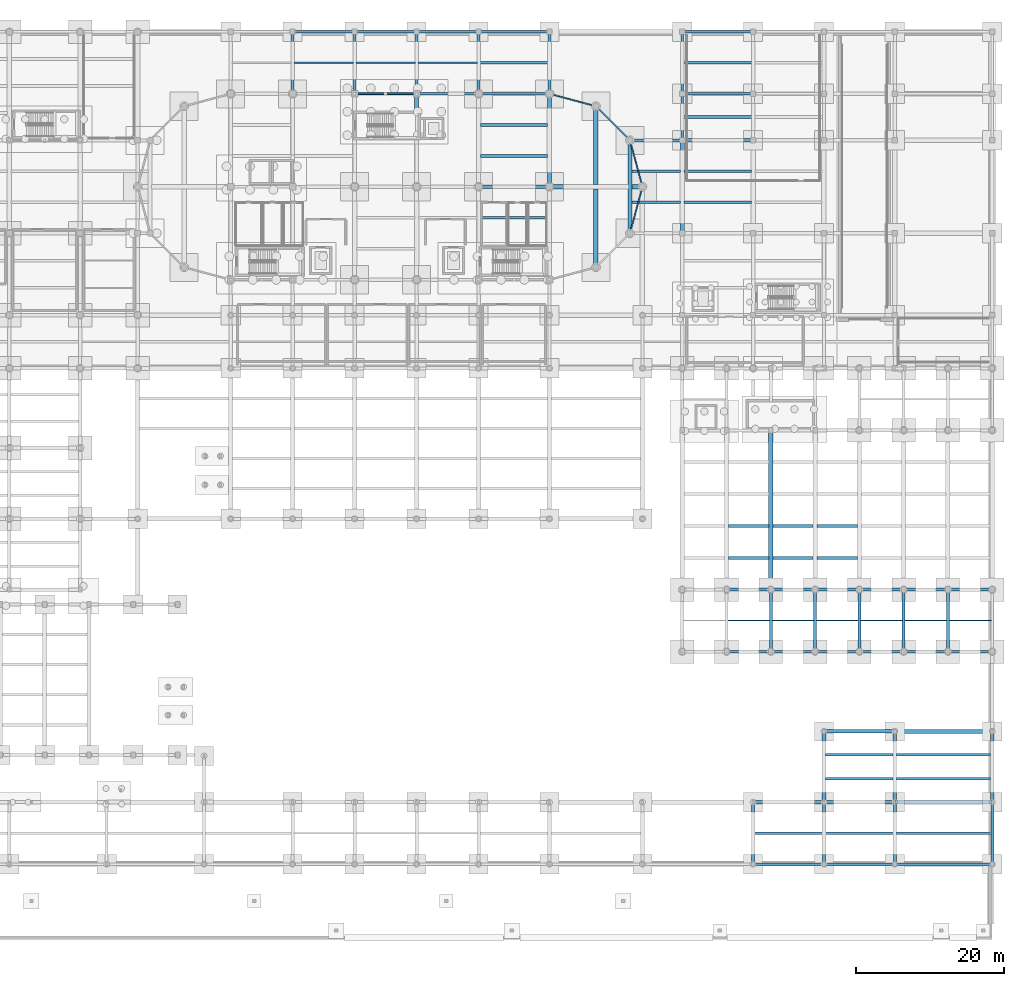
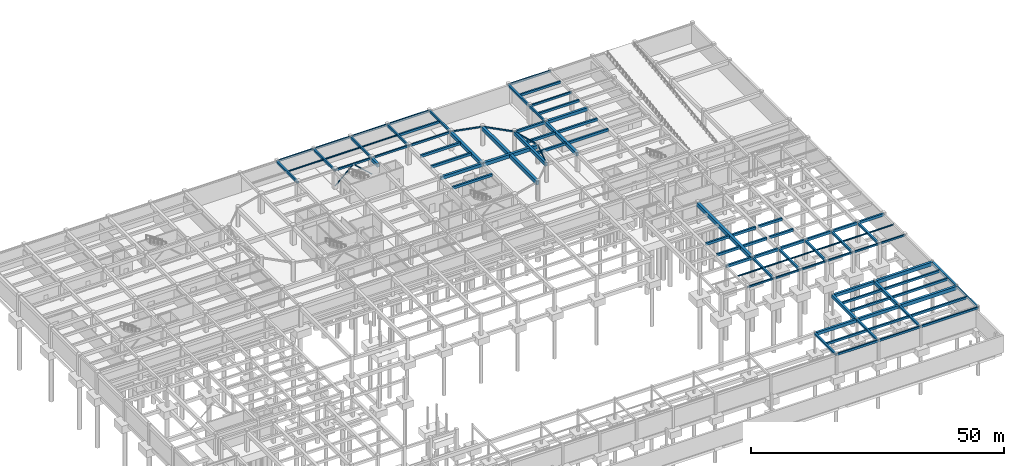
# One storey, part 18 of 37: 94 beams, 2 members.
"""IFC4 building model written with IfcOpenShell, lengths in metres."""

import ifcopenshell
import ifcopenshell.guid

model = None  # the IFC model being written
_history = None  # IfcOwnerHistory: only IFC2X3 demands one
_inside = {}  # id of a spatial element -> (the spatial element, [elements in it])
_under = {}  # id of a project, library or spatial element -> (it, [spatial elements below it])
_declared = {}  # id of a project -> (the project, [libraries it declares])
_typed = {}  # id of a type object -> (the type object, [elements of that type])
_made_of = {}  # id of a material, layer set ... -> (it, [elements and type objects made of it])


def new_model(schema):
    """Start an empty IFC model of exactly this schema.

    Asked for "IFC4X3", IfcOpenShell would pick the latest addendum, in which some entities
    have other attributes; the version numbers below select the first issue.
    IFC2X3 requires an IfcOwnerHistory on every rooted entity: one is made here for all.
    """
    global model, _history
    if schema == "IFC4X3":
        model = ifcopenshell.file(schema_version=(4, 3, 0, 0))
    else:
        model = ifcopenshell.file(schema=schema)
    _inside.clear()
    _under.clear()
    _declared.clear()
    _typed.clear()
    _made_of.clear()
    _history = None
    if model.schema == "IFC2X3":
        org = make("IfcOrganization", Name="unknown")
        user = make(
            "IfcPersonAndOrganization",
            ThePerson=make("IfcPerson", FamilyName="unknown"),
            TheOrganization=org,
        )
        app = make(
            "IfcApplication",
            ApplicationDeveloper=org,
            Version="unknown",
            ApplicationFullName="unknown",
            ApplicationIdentifier="unknown",
        )
        _history = make(
            "IfcOwnerHistory",
            OwningUser=user,
            OwningApplication=app,
            ChangeAction="ADDED",
            CreationDate=0,
        )
    return model


def make(cls, **values):
    """One entity of the class cls with the attributes given. An attribute that is None is left unset."""
    return model.create_entity(
        cls, **{name: value for name, value in values.items() if value is not None}
    )


def rooted(cls, **values):
    """An entity with a GlobalId (a new one), such as an element, a storey or a relation."""
    return make(cls, GlobalId=ifcopenshell.guid.new(), OwnerHistory=_history, **values)


def si_unit(unit_type, name, prefix=None):
    """IfcSIUnit, for example si_unit("LENGTHUNIT", "METRE", prefix="MILLI")."""
    return make("IfcSIUnit", UnitType=unit_type, Prefix=prefix, Name=name)


def assignment(units):
    """IfcUnitAssignment: the units of a project."""
    return None if units is None else make("IfcUnitAssignment", Units=units)


def point(xyz):
    """IfcCartesianPoint."""
    return None if xyz is None else make("IfcCartesianPoint", Coordinates=xyz)


def direction(xyz):
    """IfcDirection."""
    return None if xyz is None else make("IfcDirection", DirectionRatios=xyz)


def frame(location, z_axis=None, x_axis=None):
    """IfcAxis2Placement3D, a coordinate frame: its origin and axes. An axis left out is left unset."""
    return make(
        "IfcAxis2Placement3D",
        Location=point(location),
        Axis=direction(z_axis),
        RefDirection=direction(x_axis),
    )


def frame_2d(location, x_axis=None):
    """IfcAxis2Placement2D, a coordinate frame in the plane: its origin and x axis."""
    return make(
        "IfcAxis2Placement2D", Location=point(location), RefDirection=direction(x_axis)
    )


def origin():
    """The frame at (0, 0, 0) with its axes left unset."""
    return frame((0.0, 0.0, 0.0))


def origin_2d():
    """The frame at (0, 0) in the plane with its x axis left unset."""
    return frame_2d((0.0, 0.0))


def place(relative_to, where):
    """IfcLocalPlacement: puts the frame where relative to a parent placement (None: the world)."""
    return make(
        "IfcLocalPlacement", PlacementRelTo=relative_to, RelativePlacement=where
    )


def context(
    kind, dimensions, precision=None, world=None, true_north=None, identifier=None
):
    """IfcGeometricRepresentationContext, for example the 3D "Model" context."""
    return make(
        "IfcGeometricRepresentationContext",
        ContextIdentifier=identifier,
        ContextType=kind,
        CoordinateSpaceDimension=dimensions,
        Precision=precision,
        WorldCoordinateSystem=world,
        TrueNorth=true_north,
    )


def subcontext(parent, identifier, kind, view, scale=None):
    """IfcGeometricRepresentationSubContext, for example "Body" below "Model"."""
    return make(
        "IfcGeometricRepresentationSubContext",
        ContextIdentifier=identifier,
        ContextType=kind,
        ParentContext=parent,
        TargetScale=scale,
        TargetView=view,
    )


def project(units=None, contexts=None):
    """IfcProject with its units and contexts."""
    return rooted(
        "IfcProject",
        Name="project",
        RepresentationContexts=contexts,
        UnitsInContext=assignment(units),
    )


def spatial(cls, under=None, at=None, **own):
    """A site, building, storey or space (cls), placed at a placement, below another one or the project."""
    s = rooted(cls, ObjectPlacement=at, **own)
    if under is not None:
        _under.setdefault(under.id(), (under, []))[1].append(s)
    return s


def profile(cls, at=None, kind="AREA", **sizes):
    """A parametric profile (cls). Its sizes go by their IFC names, for example OverallWidth=200.0."""
    return make(cls, ProfileType=kind, Position=at, **sizes)


def rectangle(**sizes):
    """IfcRectangleProfileDef."""
    return profile("IfcRectangleProfileDef", **sizes)


def hollow_rectangle(**sizes):
    """IfcRectangleHollowProfileDef."""
    return profile("IfcRectangleHollowProfileDef", **sizes)


def i_section(**sizes):
    """IfcIShapeProfileDef."""
    return profile("IfcIShapeProfileDef", **sizes)


def extrude(swept, where, along, depth):
    """IfcExtrudedAreaSolid: the profile swept, set in the frame where, extruded along a direction by depth."""
    return make(
        "IfcExtrudedAreaSolid",
        SweptArea=swept,
        Position=where,
        ExtrudedDirection=direction(along),
        Depth=depth,
    )


def shape(context_of_items, identifier, shape_type, items):
    """IfcShapeRepresentation: the items that make up one representation, for example the "Body"."""
    return make(
        "IfcShapeRepresentation",
        ContextOfItems=context_of_items,
        RepresentationIdentifier=identifier,
        RepresentationType=shape_type,
        Items=items,
    )


def material(Name=None, Category=None):
    """IfcMaterial."""
    return make("IfcMaterial", Name=Name, Category=Category)


def material_profile(
    of_material, cross_section, Name=None, Category=None, Priority=None
):
    """IfcMaterialProfile: a cross section and its material."""
    return make(
        "IfcMaterialProfile",
        Name=Name,
        Material=of_material,
        Profile=cross_section,
        Priority=Priority,
        Category=Category,
    )


def profile_set(profiles, Name=None, composite=None):
    """IfcMaterialProfileSet."""
    return make(
        "IfcMaterialProfileSet",
        Name=Name,
        MaterialProfiles=profiles,
        CompositeProfile=composite,
    )


def made_of(thing, what):
    """Note that an element or type object is made of a material, layer set ...; save() writes the relation."""
    if what is not None:
        _made_of.setdefault(what.id(), (what, []))[1].append(thing)
    return thing


def type_object(cls, material=None, **own):
    """A type object (cls), such as IfcWallType, which elements share."""
    return made_of(rooted(cls, **own), material)


def element(
    cls,
    number,
    at=None,
    inside=None,
    cuts=None,
    type_object=None,
    material=None,
    context=None,
    identifier="Body",
    shape_type=None,
    held_by="IfcProductDefinitionShape",
    body=None,
    shapes=None,
    **own,
):
    """One element of the class cls, such as IfcWall. Its Tag is "e" and its number.

    at: its placement. inside: the storey or other place that contains it. cuts: it is an
    opening in that element (IfcRelVoidsElement). A single representation is given by context,
    identifier, shape_type and body (its items); several are given by shapes. held_by: the class
    of the entity that holds the representations. save() writes the other relations.
    """
    e = rooted(cls, Tag="e%d" % number, ObjectPlacement=at, **own)
    if body is not None:
        shapes = [shape(context, identifier, shape_type, body)]
    if shapes is not None:
        e.Representation = make(held_by, Representations=shapes)
    if inside is not None:
        _inside.setdefault(inside.id(), (inside, []))[1].append(e)
    if cuts is not None:
        rooted(
            "IfcRelVoidsElement", RelatingBuildingElement=cuts, RelatedOpeningElement=e
        )
    if type_object is not None:
        _typed.setdefault(type_object.id(), (type_object, []))[1].append(e)
    return made_of(e, material)


def aggregate(whole, parts):
    """IfcRelAggregates: a whole, such as a stair, and the parts it consists of."""
    return rooted("IfcRelAggregates", RelatingObject=whole, RelatedObjects=parts)


def save(model, path):
    """Write the relations noted so far, then the file.

    IfcRelAggregates (storeys below a building ...), IfcRelContainedInSpatialStructure (elements
    in a storey), IfcRelDefinesByType, IfcRelAssociatesMaterial and IfcRelDeclares: one each for
    every whole, place, type object, material and project.
    """
    for whole, parts in _under.values():
        aggregate(whole, parts)
    for where, things in _inside.values():
        rooted(
            "IfcRelContainedInSpatialStructure",
            RelatedElements=things,
            RelatingStructure=where,
        )
    for kind, things in _typed.values():
        rooted("IfcRelDefinesByType", RelatedObjects=things, RelatingType=kind)
    for what, things in _made_of.values():
        rooted("IfcRelAssociatesMaterial", RelatedObjects=things, RelatingMaterial=what)
    for by, libraries in _declared.values():
        rooted("IfcRelDeclares", RelatingContext=by, RelatedDefinitions=libraries)
    model.write(path)


model = new_model("IFC4")

# Units and contexts
model_context = context("Model", 3, precision=1e-05, world=origin(), true_north=direction((0.0, 1.0)))
body_context = subcontext(model_context, "Body", "Model", "MODEL_VIEW")
ifc_project = project(units=[si_unit("LENGTHUNIT", "METRE"), si_unit("AREAUNIT", "SQUARE_METRE"), si_unit("VOLUMEUNIT", "CUBIC_METRE"), si_unit("PLANEANGLEUNIT", "RADIAN"), si_unit("MASSUNIT", "GRAM", prefix="KILO")], contexts=[model_context])

# Site, building, storey
site_placement = place(None, origin())
site = spatial("IfcSite", under=ifc_project, at=site_placement, CompositionType="ELEMENT")
building_placement = place(site_placement, origin())
building = spatial("IfcBuilding", under=site, at=building_placement, Name="Tarnavel Promenade Courthouse", CompositionType="ELEMENT")
storey_placement = place(building_placement, frame((0.0, 0.0, -4.800048828125)))
storey = spatial("IfcBuildingStorey", under=building, at=storey_placement, Name="B01", CompositionType="ELEMENT", Elevation=-4.800048828125)

# Beams
ifc_material_1 = material(Name="Concrete C40/50", Category="concrete")
ifc_material_profile_1 = material_profile(ifc_material_1, rectangle(XDim=0.35009765625, YDim=0.550048828125, at=origin_2d()), Name="PT 350x550")
ifc_profile_set_1 = profile_set([ifc_material_profile_1], Name="Concrete C40/50")
beam_type_1 = type_object("IfcBeamType", Name="Concrete C40/50 BM-PT-350x550 (PT 350x550)", PredefinedType="JOIST", material=ifc_profile_set_1)
beam_1_placement = place(storey_placement, frame((129.77001953125, 4.199951171875, 4.195068359375), z_axis=(1.0, 0.0, 0.0), x_axis=(0.0, 1.0, 0.0)))
element("IfcBeam", 1, at=beam_1_placement, inside=storey, type_object=beam_type_1, Name="B01 Secondary Floor Rib 0365", PredefinedType="JOIST", context=body_context, shape_type="SweptSolid", body=[
    extrude(rectangle(XDim=0.35009765625, YDim=0.550048828125, at=origin_2d()), origin(), (0.0, 0.0, 1.0), 9.260009765625),
])
beam_2_placement = place(storey_placement, frame((139.3701171875, 4.199951171875, 4.195068359375), z_axis=(1.0, 0.0, 0.0), x_axis=(0.0, 1.0, 0.0)))
element("IfcBeam", 2, at=beam_2_placement, inside=storey, type_object=beam_type_1, Name="B01 Secondary Floor Rib 0366", PredefinedType="JOIST", context=body_context, shape_type="SweptSolid", body=[
    extrude(rectangle(XDim=0.35009765625, YDim=0.550048828125, at=origin_2d()), origin(), (0.0, 0.0, 1.0), 9.259765625),
])
beam_3_placement = place(storey_placement, frame((148.969970703125, 4.199951171875, 4.195068359375), z_axis=(1.0, 0.0, 0.0), x_axis=(0.0, 1.0, 0.0)))
element("IfcBeam", 3, at=beam_3_placement, inside=storey, type_object=beam_type_1, Name="B01 Secondary Floor Rib 0367", PredefinedType="JOIST", context=body_context, shape_type="SweptSolid", body=[
    extrude(rectangle(XDim=0.35009765625, YDim=0.550048828125, at=origin_2d()), origin(), (0.0, 0.0, 1.0), 12.909912109375),
])
for number, where, z_axis, x_axis, name in (
    (4, (139.419921875, 11.60009765625, 4.195068359375), (1.0, 0.0, 0.0), (0.0, 1.0, 0.0), "B01 Secondary Floor Rib 0368"),
    (5, (139.419921875, 14.800048828125, 4.195068359375), (1.0, 0.0, 0.0), (0.0, 1.0, 0.0), "B01 Secondary Floor Rib 0369"),
):
    element("IfcBeam", number, at=place(storey_placement, frame(where, z_axis=z_axis, x_axis=x_axis)), inside=storey, type_object=beam_type_1, Name=name, PredefinedType="JOIST", context=body_context, shape_type="SweptSolid", body=[
        extrude(rectangle(XDim=0.35009765625, YDim=0.550048828125, at=origin_2d()), origin(), (0.0, 0.0, 1.0), 9.16015625),
    ])
for number, where, z_axis, x_axis, name in (
    (6, (149.02001953125, 11.60009765625, 4.195068359375), (1.0, 0.0, 0.0), (0.0, 1.0, 0.0), "B01 Secondary Floor Rib 0370"),
    (7, (149.02001953125, 14.800048828125, 4.195068359375), (1.0, 0.0, 0.0), (0.0, 1.0, 0.0), "B01 Secondary Floor Rib 0371"),
):
    element("IfcBeam", number, at=place(storey_placement, frame(where, z_axis=z_axis, x_axis=x_axis)), inside=storey, type_object=beam_type_1, Name=name, PredefinedType="JOIST", context=body_context, shape_type="SweptSolid", body=[
        extrude(rectangle(XDim=0.35009765625, YDim=0.550048828125, at=origin_2d()), origin(), (0.0, 0.0, 1.0), 12.760009765625),
    ])
for number, where, z_axis, x_axis, name in (
    (8, (92.570068359375, 108.60009765625, 4.239990234375), (1.0, 0.0, 0.0), (0.0, 1.0, 0.0), "B01 Secondary Floor Rib 0509"),
    (9, (120.169921875, 108.60009765625, 4.179931640625), (1.0, 0.0, 0.0), (0.0, 1.0, 0.0), "B01 Secondary Floor Rib 0510"),
    (10, (120.169921875, 101.25, 4.179931640625), (1.0, 0.0, 0.0), (0.0, 1.0, 0.0), "B01 Secondary Floor Rib 0544"),
):
    element("IfcBeam", number, at=place(storey_placement, frame(where, z_axis=z_axis, x_axis=x_axis)), inside=storey, type_object=beam_type_1, Name=name, PredefinedType="JOIST", context=body_context, shape_type="SweptSolid", body=[
        extrude(rectangle(XDim=0.35009765625, YDim=0.550048828125, at=origin_2d()), origin(), (0.0, 0.0, 1.0), 9.260009765625),
    ])
ifc_material_profile_2 = material_profile(ifc_material_1, rectangle(XDim=0.39990234375, YDim=0.60009765625, at=origin_2d()), Name="PT 400x600")
ifc_profile_set_2 = profile_set([ifc_material_profile_2], Name="Concrete C40/50")
beam_type_2 = type_object("IfcBeamType", Name="Concrete C40/50 BM-PT-400x600 (PT 400x600)", PredefinedType="JOIST", material=ifc_profile_set_2)
for number, where, z_axis, x_axis, name in (
    (11, (113.156982421875, 89.699951171875, 4.215087890625), (1.0, 0.0, 0.0), (0.0, 1.0, 0.0), "B01 Secondary Floor Rib 0435"),
    (12, (113.156982421875, 93.89990234375, 4.215087890625), (1.0, 0.0, 0.0), (0.0, 1.0, 0.0), "B01 Secondary Floor Rib 0436"),
):
    element("IfcBeam", number, at=place(storey_placement, frame(where, z_axis=z_axis, x_axis=x_axis)), inside=storey, type_object=beam_type_2, Name=name, PredefinedType="JOIST", context=body_context, shape_type="SweptSolid", body=[
        extrude(rectangle(XDim=0.39990234375, YDim=0.60009765625, at=origin_2d()), origin(), (0.0, 0.0, 1.0), 6.597900390625),
    ])
for number, where, z_axis, x_axis, name in (
    (13, (120.2451171875, 89.699951171875, 4.155029296875), (1.0, 0.0, 0.0), (0.0, 1.0, 0.0), "B01 Secondary Floor Rib 0437"),
    (14, (120.2451171875, 93.89990234375, 4.155029296875), (1.0, 0.0, 0.0), (0.0, 1.0, 0.0), "B01 Secondary Floor Rib 0438"),
    (15, (92.64501953125, 87.60009765625, 4.215087890625), (1.0, 0.0, 0.0), (0.0, 1.0, 0.0), "B01 Secondary Floor Rib 0499"),
    (16, (92.64501953125, 96.0, 4.215087890625), (1.0, 0.0, 0.0), (0.0, 1.0, 0.0), "B01 Secondary Floor Rib 0503"),
    (17, (92.64501953125, 100.199951171875, 4.215087890625), (1.0, 0.0, 0.0), (0.0, 1.0, 0.0), "B01 Secondary Floor Rib 0504"),
):
    element("IfcBeam", number, at=place(storey_placement, frame(where, z_axis=z_axis, x_axis=x_axis)), inside=storey, type_object=beam_type_2, Name=name, PredefinedType="JOIST", context=body_context, shape_type="SweptSolid", body=[
        extrude(rectangle(XDim=0.39990234375, YDim=0.60009765625, at=origin_2d()), origin(), (0.0, 0.0, 1.0), 9.10986328125),
    ])
for number, where, z_axis, x_axis, name in (
    (18, (126.27001953125, 41.52001953125, 4.215087890625), (1.0, 0.0, 0.0), (0.0, 1.0, 0.0), "B01 Secondary Floor Rib 0516"),
    (19, (126.27001953125, 45.840087890625, 4.215087890625), (1.0, 0.0, 0.0), (0.0, 1.0, 0.0), "B01 Secondary Floor Rib 0517"),
    (20, (132.27001953125, 41.52001953125, 4.215087890625), (1.0, 0.0, 0.0), (0.0, 1.0, 0.0), "B01 Secondary Floor Rib 0520"),
    (21, (132.27001953125, 45.840087890625, 4.215087890625), (1.0, 0.0, 0.0), (0.0, 1.0, 0.0), "B01 Secondary Floor Rib 0521"),
    (22, (138.27001953125, 41.52001953125, 4.215087890625), (1.0, 0.0, 0.0), (0.0, 1.0, 0.0), "B01 Secondary Floor Rib 0524"),
    (23, (138.27001953125, 45.840087890625, 4.215087890625), (1.0, 0.0, 0.0), (0.0, 1.0, 0.0), "B01 Secondary Floor Rib 0525"),
):
    element("IfcBeam", number, at=place(storey_placement, frame(where, z_axis=z_axis, x_axis=x_axis)), inside=storey, type_object=beam_type_2, Name=name, PredefinedType="JOIST", context=body_context, shape_type="SweptSolid", body=[
        extrude(rectangle(XDim=0.39990234375, YDim=0.60009765625, at=origin_2d()), origin(), (0.0, 0.0, 1.0), 5.4599609375),
    ])
ifc_material_profile_3 = material_profile(ifc_material_1, rectangle(XDim=0.5, YDim=0.800048828125, at=origin_2d()), Name="PT 500x800")
ifc_profile_set_3 = profile_set([ifc_material_profile_3], Name="Concrete C40/50")
beam_type_3 = type_object("IfcBeamType", Name="Concrete C40/50 BM-PT-500x800 (PT 500x800)", PredefinedType="T_BEAM", material=ifc_profile_set_3)
for number, where, z_axis, x_axis, name in (
    (24, (139.199951171875, 8.39990234375, 4.070068359375), (0.0, 1.0, 0.0), (-1.0, 0.0, 0.0), "B01 Transverse Girder 0321"),
    (25, (148.800048828125, 8.39990234375, 4.070068359375), (0.0, 1.0, 0.0), (-1.0, 0.0, 0.0), "B01 Transverse Girder 0331"),
    (26, (162.0, 8.39990234375, 4.070068359375), (0.0, 1.0, 0.0), (-1.0, 0.0, 0.0), "B01 Transverse Girder 0344"),
):
    element("IfcBeam", number, at=place(storey_placement, frame(where, z_axis=z_axis, x_axis=x_axis)), inside=storey, type_object=beam_type_3, Name=name, PredefinedType="T_BEAM", context=body_context, shape_type="SweptSolid", body=[
        extrude(rectangle(XDim=0.5, YDim=0.800048828125, at=origin_2d()), origin(), (0.0, 0.0, 1.0), 9.60009765625),
    ])
ifc_material_profile_4 = material_profile(ifc_material_1, rectangle(XDim=0.550048828125, YDim=0.85009765625, at=origin_2d()), Name="PT 550x850")
ifc_profile_set_4 = profile_set([ifc_material_profile_4], Name="Concrete C40/50")
beam_type_4 = type_object("IfcBeamType", Name="Concrete C40/50 BM-PT-550x850 (PT 550x850)", PredefinedType="T_BEAM", material=ifc_profile_set_4)
for number, where, z_axis, x_axis, name in (
    (27, (148.800048828125, 8.39990234375, 4.045166015625), (1.0, 0.0, 0.0), (0.0, 1.0, 0.0), "B01 Primary Longitudinal Beam 0031"),
    (28, (148.800048828125, 18.0, 4.045166015625), (1.0, 0.0, 0.0), (0.0, 1.0, 0.0), "B01 Primary Longitudinal Beam 0041"),
):
    element("IfcBeam", number, at=place(storey_placement, frame(where, z_axis=z_axis, x_axis=x_axis)), inside=storey, type_object=beam_type_4, Name=name, PredefinedType="T_BEAM", context=body_context, shape_type="SweptSolid", body=[
        extrude(rectangle(XDim=0.550048828125, YDim=0.85009765625, at=origin_2d()), origin(), (0.0, 0.0, 1.0), 13.199951171875),
    ])
beam_4_placement = place(storey_placement, frame((102.0, 91.800048828125, 4.090087890625), z_axis=(1.0, 0.0, 0.0), x_axis=(0.0, 1.0, 0.0)))
element("IfcBeam", 29, at=beam_4_placement, inside=storey, type_object=beam_type_4, Name="B01 Primary Longitudinal Beam 0151", PredefinedType="T_BEAM", context=body_context, shape_type="SweptSolid", body=[
    extrude(rectangle(XDim=0.550048828125, YDim=0.85009765625, at=origin_2d()), origin(), (0.0, 0.0, 1.0), 12.60009765625),
])
beam_5_placement = place(storey_placement, frame((84.0, 101.7900390625, 4.090087890625), z_axis=(0.0, 1.0, 0.0), x_axis=(-1.0, 0.0, 0.0)))
element("IfcBeam", 30, at=beam_5_placement, inside=storey, type_object=beam_type_4, Name="B01 Transverse Girder 0275", PredefinedType="T_BEAM", context=body_context, shape_type="SweptSolid", body=[
    extrude(rectangle(XDim=0.550048828125, YDim=0.85009765625, at=origin_2d()), origin(), (0.0, 0.0, 1.0), 2.60986328125),
])
beam_6_placement = place(storey_placement, frame((102.0, 91.800048828125, 4.090087890625), z_axis=(0.0, 1.0, 0.0), x_axis=(-1.0, 0.0, 0.0)))
element("IfcBeam", 31, at=beam_6_placement, inside=storey, type_object=beam_type_4, Name="B01 Transverse Girder 0289", PredefinedType="T_BEAM", context=body_context, shape_type="SweptSolid", body=[
    extrude(rectangle(XDim=0.550048828125, YDim=0.85009765625, at=origin_2d()), origin(), (0.0, 0.0, 1.0), 12.599853515625),
])
for number, where, z_axis, x_axis, name in (
    (32, (112.911865234375, 85.5, 4.090087890625), (0.0, 1.0, 0.0), (-1.0, 0.0, 0.0), "B01 Transverse Girder 0292"),
    (33, (120.0, 85.5, 4.030029296875), (0.0, 1.0, 0.0), (-1.0, 0.0, 0.0), "B01 Transverse Girder 0302"),
):
    element("IfcBeam", number, at=place(storey_placement, frame(where, z_axis=z_axis, x_axis=x_axis)), inside=storey, type_object=beam_type_4, Name=name, PredefinedType="T_BEAM", context=body_context, shape_type="SweptSolid", body=[
        extrude(rectangle(XDim=0.550048828125, YDim=0.85009765625, at=origin_2d()), origin(), (0.0, 0.0, 1.0), 12.60009765625),
    ])
ifc_material_profile_5 = material_profile(ifc_material_1, rectangle(XDim=0.60009765625, YDim=0.949951171875, at=origin_2d()), Name="PT 600x950")
ifc_profile_set_5 = profile_set([ifc_material_profile_5], Name="Concrete C40/50")
beam_type_5 = type_object("IfcBeamType", Name="Concrete C40/50 BM-PT-600x950 (PT 600x950)", PredefinedType="T_BEAM", material=ifc_profile_set_5)
beam_7_placement = place(storey_placement, frame((108.300048828125, 80.88818359375, 4.0400390625), z_axis=(0.0, 1.0, 0.0), x_axis=(-1.0, 0.0, 0.0)))
element("IfcBeam", 34, at=beam_7_placement, inside=storey, type_object=beam_type_5, Name="B01 Transverse Girder 0291", PredefinedType="T_BEAM", context=body_context, shape_type="SweptSolid", body=[
    extrude(rectangle(XDim=0.60009765625, YDim=0.949951171875, at=origin_2d()), origin(), (0.0, 0.0, 1.0), 21.82373046875),
])
beam_8_placement = place(storey_placement, frame((132.0, 37.199951171875, 4.0400390625), z_axis=(0.0, 1.0, 0.0), x_axis=(-1.0, 0.0, 0.0)))
element("IfcBeam", 35, at=beam_8_placement, inside=storey, type_object=beam_type_5, Name="B01 Transverse Girder 0315", PredefinedType="T_BEAM", context=body_context, shape_type="SweptSolid", body=[
    extrude(rectangle(XDim=0.60009765625, YDim=0.949951171875, at=origin_2d()), origin(), (0.0, 0.0, 1.0), 21.60009765625),
])
ifc_material_profile_6 = material_profile(ifc_material_1, rectangle(XDim=0.39990234375, YDim=0.5, at=origin_2d()), Name="RC 400x500")
ifc_profile_set_6 = profile_set([ifc_material_profile_6], Name="Concrete C40/50")
beam_type_6 = type_object("IfcBeamType", Name="Concrete C40/50 BM-RC-400x500 (RC 400x500)", PredefinedType="BEAM", material=ifc_profile_set_6)
for number, where, z_axis, x_axis, name in (
    (36, (67.199951171875, 104.39990234375, 4.26513671875), (0.0, 1.0, 0.0), (-1.0, 0.0, 0.0), "B01 Transverse Girder 0261"),
    (37, (75.60009765625, 104.39990234375, 4.26513671875), (0.0, 1.0, 0.0), (-1.0, 0.0, 0.0), "B01 Transverse Girder 0268"),
    (38, (84.0, 104.39990234375, 4.26513671875), (0.0, 1.0, 0.0), (-1.0, 0.0, 0.0), "B01 Transverse Girder 0276"),
    (39, (92.39990234375, 104.39990234375, 4.26513671875), (0.0, 1.0, 0.0), (-1.0, 0.0, 0.0), "B01 Transverse Girder 0283"),
    (40, (102.0, 104.39990234375, 4.26513671875), (0.0, 1.0, 0.0), (-1.0, 0.0, 0.0), "B01 Transverse Girder 0290"),
):
    element("IfcBeam", number, at=place(storey_placement, frame(where, z_axis=z_axis, x_axis=x_axis)), inside=storey, type_object=beam_type_6, Name=name, PredefinedType="BEAM", context=body_context, shape_type="SweptSolid", body=[
        extrude(rectangle(XDim=0.39990234375, YDim=0.5, at=origin_2d()), origin(), (0.0, 0.0, 1.0), 8.400146484375),
    ])
beam_9_placement = place(storey_placement, frame((120.0, 98.10009765625, 4.205078125), z_axis=(0.0, 1.0, 0.0), x_axis=(-1.0, 0.0, 0.0)))
element("IfcBeam", 41, at=beam_9_placement, inside=storey, type_object=beam_type_6, Name="B01 Transverse Girder 0303", PredefinedType="BEAM", context=body_context, shape_type="SweptSolid", body=[
    extrude(rectangle(XDim=0.39990234375, YDim=0.5, at=origin_2d()), origin(), (0.0, 0.0, 1.0), 6.2998046875),
])
beam_10_placement = place(storey_placement, frame((120.0, 104.39990234375, 4.205078125), z_axis=(0.0, 1.0, 0.0), x_axis=(-1.0, 0.0, 0.0)))
element("IfcBeam", 42, at=beam_10_placement, inside=storey, type_object=beam_type_6, Name="B01 Transverse Girder 0304", PredefinedType="BEAM", context=body_context, shape_type="SweptSolid", body=[
    extrude(rectangle(XDim=0.39990234375, YDim=0.5, at=origin_2d()), origin(), (0.0, 0.0, 1.0), 8.400146484375),
])
for number, where, z_axis, x_axis, name in (
    (43, (129.60009765625, 0.0, 4.219970703125), (0.0, 1.0, 0.0), (-1.0, 0.0, 0.0), "B01 Transverse Girder 0308"),
    (44, (132.0, 28.800048828125, 4.219970703125), (0.0, 1.0, 0.0), (-1.0, 0.0, 0.0), "B01 Transverse Girder 0314"),
    (45, (138.0, 28.800048828125, 4.219970703125), (0.0, 1.0, 0.0), (-1.0, 0.0, 0.0), "B01 Transverse Girder 0317"),
    (46, (139.199951171875, 0.0, 4.219970703125), (0.0, 1.0, 0.0), (-1.0, 0.0, 0.0), "B01 Transverse Girder 0320"),
    (47, (144.0, 28.800048828125, 4.219970703125), (0.0, 1.0, 0.0), (-1.0, 0.0, 0.0), "B01 Transverse Girder 0327"),
    (48, (148.800048828125, 0.0, 4.219970703125), (0.0, 1.0, 0.0), (-1.0, 0.0, 0.0), "B01 Transverse Girder 0330"),
    (49, (150.0, 28.800048828125, 4.219970703125), (0.0, 1.0, 0.0), (-1.0, 0.0, 0.0), "B01 Transverse Girder 0337"),
    (50, (156.0, 28.800048828125, 4.219970703125), (0.0, 1.0, 0.0), (-1.0, 0.0, 0.0), "B01 Transverse Girder 0340"),
):
    element("IfcBeam", number, at=place(storey_placement, frame(where, z_axis=z_axis, x_axis=x_axis)), inside=storey, type_object=beam_type_6, Name=name, PredefinedType="BEAM", context=body_context, shape_type="SweptSolid", body=[
        extrude(rectangle(XDim=0.39990234375, YDim=0.5, at=origin_2d()), origin(), (0.0, 0.0, 1.0), 8.39990234375),
    ])
ifc_material_profile_7 = material_profile(ifc_material_1, rectangle(XDim=0.39990234375, YDim=0.64990234375, at=origin_2d()), Name="RC 400x650")
ifc_profile_set_7 = profile_set([ifc_material_profile_7], Name="Concrete C40/50")
beam_type_7 = type_object("IfcBeamType", Name="Concrete C40/50 BM-RC-400x650 (RC 400x650)", PredefinedType="BEAM", material=ifc_profile_set_7)
for number, where, z_axis, x_axis, name in (
    (51, (126.0, 37.199951171875, 4.18994140625), (1.0, 0.0, 0.0), (0.0, 1.0, 0.0), "B01 Primary Longitudinal Beam 0062"),
    (52, (132.0, 37.199951171875, 4.18994140625), (1.0, 0.0, 0.0), (0.0, 1.0, 0.0), "B01 Primary Longitudinal Beam 0063"),
    (53, (138.0, 37.199951171875, 4.18994140625), (1.0, 0.0, 0.0), (0.0, 1.0, 0.0), "B01 Primary Longitudinal Beam 0064"),
    (54, (144.0, 37.199951171875, 4.18994140625), (1.0, 0.0, 0.0), (0.0, 1.0, 0.0), "B01 Primary Longitudinal Beam 0065"),
    (55, (150.0, 37.199951171875, 4.18994140625), (1.0, 0.0, 0.0), (0.0, 1.0, 0.0), "B01 Primary Longitudinal Beam 0066"),
    (56, (156.0, 37.199951171875, 4.18994140625), (1.0, 0.0, 0.0), (0.0, 1.0, 0.0), "B01 Primary Longitudinal Beam 0067"),
):
    element("IfcBeam", number, at=place(storey_placement, frame(where, z_axis=z_axis, x_axis=x_axis)), inside=storey, type_object=beam_type_7, Name=name, PredefinedType="BEAM", context=body_context, shape_type="SweptSolid", body=[
        extrude(rectangle(XDim=0.39990234375, YDim=0.64990234375, at=origin_2d()), origin(), (0.0, 0.0, 1.0), 6.0),
    ])
beam_11_placement = place(storey_placement, frame((112.911865234375, 98.10009765625, 4.18994140625), z_axis=(1.0, 0.0, 0.0), x_axis=(0.0, 1.0, 0.0)))
element("IfcBeam", 57, at=beam_11_placement, inside=storey, type_object=beam_type_7, Name="B01 Primary Longitudinal Beam 0158", PredefinedType="BEAM", context=body_context, shape_type="SweptSolid", body=[
    extrude(rectangle(XDim=0.39990234375, YDim=0.64990234375, at=origin_2d()), origin(), (0.0, 0.0, 1.0), 7.088134765625),
])
ifc_material_profile_8 = material_profile(ifc_material_1, rectangle(XDim=0.5, YDim=0.75, at=origin_2d()), Name="RC 500x750")
ifc_profile_set_8 = profile_set([ifc_material_profile_8], Name="Concrete C40/50")
beam_type_8 = type_object("IfcBeamType", Name="Concrete C40/50 BM-RC-500x750 (RC 500x750)", PredefinedType="T_BEAM", material=ifc_profile_set_8)
beam_12_placement = place(storey_placement, frame((129.60009765625, 8.39990234375, 4.094970703125), z_axis=(1.0, 0.0, 0.0), x_axis=(0.0, 1.0, 0.0)))
element("IfcBeam", 58, at=beam_12_placement, inside=storey, type_object=beam_type_8, Name="B01 Primary Longitudinal Beam 0029", PredefinedType="T_BEAM", context=body_context, shape_type="SweptSolid", body=[
    extrude(rectangle(XDim=0.5, YDim=0.75, at=origin_2d()), origin(), (0.0, 0.0, 1.0), 9.599853515625),
])
for number, where, z_axis, x_axis, name in (
    (59, (139.199951171875, 8.39990234375, 4.094970703125), (1.0, 0.0, 0.0), (0.0, 1.0, 0.0), "B01 Primary Longitudinal Beam 0030"),
    (60, (139.199951171875, 18.0, 4.094970703125), (1.0, 0.0, 0.0), (0.0, 1.0, 0.0), "B01 Primary Longitudinal Beam 0040"),
    (61, (92.39990234375, 91.800048828125, 4.14013671875), (1.0, 0.0, 0.0), (0.0, 1.0, 0.0), "B01 Primary Longitudinal Beam 0150"),
    (62, (120.0, 98.10009765625, 4.080078125), (1.0, 0.0, 0.0), (0.0, 1.0, 0.0), "B01 Primary Longitudinal Beam 0159"),
):
    element("IfcBeam", number, at=place(storey_placement, frame(where, z_axis=z_axis, x_axis=x_axis)), inside=storey, type_object=beam_type_8, Name=name, PredefinedType="T_BEAM", context=body_context, shape_type="SweptSolid", body=[
        extrude(rectangle(XDim=0.5, YDim=0.75, at=origin_2d()), origin(), (0.0, 0.0, 1.0), 9.60009765625),
    ])
ifc_material_profile_9 = material_profile(ifc_material_1, rectangle(XDim=0.300048828125, YDim=0.39990234375, at=origin_2d()), Name="RC 300x400")
ifc_profile_set_9 = profile_set([ifc_material_profile_9], Name="Concrete C40/50")
beam_type_9 = type_object("IfcBeamType", Name="Concrete C40/50 BM-SP-300x400 (RC 300x400)", PredefinedType="SPANDREL", material=ifc_profile_set_9)
for number, where, z_axis, x_axis, name in (
    (63, (126.0, 28.800048828125, 4.27001953125), (1.0, 0.0, 0.0), (0.0, 1.0, 0.0), "B01 Primary Longitudinal Beam 0044"),
    (64, (132.0, 28.800048828125, 4.27001953125), (1.0, 0.0, 0.0), (0.0, 1.0, 0.0), "B01 Primary Longitudinal Beam 0045"),
    (65, (138.0, 28.800048828125, 4.27001953125), (1.0, 0.0, 0.0), (0.0, 1.0, 0.0), "B01 Primary Longitudinal Beam 0046"),
    (66, (144.0, 28.800048828125, 4.27001953125), (1.0, 0.0, 0.0), (0.0, 1.0, 0.0), "B01 Primary Longitudinal Beam 0047"),
    (67, (150.0, 28.800048828125, 4.27001953125), (1.0, 0.0, 0.0), (0.0, 1.0, 0.0), "B01 Primary Longitudinal Beam 0048"),
    (68, (156.0, 28.800048828125, 4.27001953125), (1.0, 0.0, 0.0), (0.0, 1.0, 0.0), "B01 Primary Longitudinal Beam 0049"),
):
    element("IfcBeam", number, at=place(storey_placement, frame(where, z_axis=z_axis, x_axis=x_axis)), inside=storey, type_object=beam_type_9, Name=name, PredefinedType="SPANDREL", context=body_context, shape_type="SweptSolid", body=[
        extrude(rectangle(XDim=0.300048828125, YDim=0.39990234375, at=origin_2d()), origin(), (0.0, 0.0, 1.0), 6.0),
    ])
ifc_material_profile_10 = material_profile(ifc_material_1, rectangle(XDim=0.300048828125, YDim=0.449951171875, at=origin_2d()), Name="RC 300x450")
ifc_profile_set_10 = profile_set([ifc_material_profile_10], Name="Concrete C40/50")
beam_type_10 = type_object("IfcBeamType", Name="Concrete C40/50 BM-SP-300x450 (RC 300x450)", PredefinedType="SPANDREL", material=ifc_profile_set_10)
for number, where, z_axis, x_axis, name in (
    (69, (75.60009765625, 104.39990234375, 4.2900390625), (1.0, 0.0, 0.0), (0.0, 1.0, 0.0), "B01 Primary Longitudinal Beam 0165"),
    (70, (84.0, 104.39990234375, 4.2900390625), (1.0, 0.0, 0.0), (0.0, 1.0, 0.0), "B01 Primary Longitudinal Beam 0166"),
):
    element("IfcBeam", number, at=place(storey_placement, frame(where, z_axis=z_axis, x_axis=x_axis)), inside=storey, type_object=beam_type_10, Name=name, PredefinedType="SPANDREL", context=body_context, shape_type="SweptSolid", body=[
        extrude(rectangle(XDim=0.300048828125, YDim=0.449951171875, at=origin_2d()), origin(), (0.0, 0.0, 1.0), 8.39990234375),
    ])
beam_13_placement = place(storey_placement, frame((67.199951171875, 112.800048828125, 4.2900390625), z_axis=(1.0, 0.0, 0.0), x_axis=(0.0, 1.0, 0.0)))
element("IfcBeam", 71, at=beam_13_placement, inside=storey, type_object=beam_type_10, Name="B01 Primary Longitudinal Beam 0179", PredefinedType="SPANDREL", context=body_context, shape_type="SweptSolid", body=[
    extrude(rectangle(XDim=0.300048828125, YDim=0.449951171875, at=origin_2d()), origin(), (0.0, 0.0, 1.0), 8.400146484375),
])
for number, where, z_axis, x_axis, name in (
    (72, (75.60009765625, 112.800048828125, 4.2900390625), (1.0, 0.0, 0.0), (0.0, 1.0, 0.0), "B01 Primary Longitudinal Beam 0180"),
    (73, (84.0, 112.800048828125, 4.2900390625), (1.0, 0.0, 0.0), (0.0, 1.0, 0.0), "B01 Primary Longitudinal Beam 0181"),
):
    element("IfcBeam", number, at=place(storey_placement, frame(where, z_axis=z_axis, x_axis=x_axis)), inside=storey, type_object=beam_type_10, Name=name, PredefinedType="SPANDREL", context=body_context, shape_type="SweptSolid", body=[
        extrude(rectangle(XDim=0.300048828125, YDim=0.449951171875, at=origin_2d()), origin(), (0.0, 0.0, 1.0), 8.39990234375),
    ])
ifc_material_profile_11 = material_profile(ifc_material_1, rectangle(XDim=0.300048828125, YDim=0.5, at=origin_2d()), Name="RC 300x500")
ifc_profile_set_11 = profile_set([ifc_material_profile_11], Name="Concrete C40/50")
beam_type_11 = type_object("IfcBeamType", Name="Concrete C40/50 BM-SP-300x500 (RC 300x500)", PredefinedType="SPANDREL", material=ifc_profile_set_11)
beam_14_placement = place(storey_placement, frame((129.60009765625, 0.0, 4.219970703125), z_axis=(1.0, 0.0, 0.0), x_axis=(0.0, 1.0, 0.0)))
element("IfcBeam", 74, at=beam_14_placement, inside=storey, type_object=beam_type_11, Name="B01 Primary Longitudinal Beam 0013", PredefinedType="SPANDREL", context=body_context, shape_type="SweptSolid", body=[
    extrude(rectangle(XDim=0.300048828125, YDim=0.5, at=origin_2d()), origin(), (0.0, 0.0, 1.0), 9.599853515625),
])
beam_15_placement = place(storey_placement, frame((139.199951171875, 0.0, 4.219970703125), z_axis=(1.0, 0.0, 0.0), x_axis=(0.0, 1.0, 0.0)))
element("IfcBeam", 75, at=beam_15_placement, inside=storey, type_object=beam_type_11, Name="B01 Primary Longitudinal Beam 0014", PredefinedType="SPANDREL", context=body_context, shape_type="SweptSolid", body=[
    extrude(rectangle(XDim=0.300048828125, YDim=0.5, at=origin_2d()), origin(), (0.0, 0.0, 1.0), 9.60009765625),
])
beam_16_placement = place(storey_placement, frame((148.800048828125, 0.0, 4.219970703125), z_axis=(1.0, 0.0, 0.0), x_axis=(0.0, 1.0, 0.0)))
element("IfcBeam", 76, at=beam_16_placement, inside=storey, type_object=beam_type_11, Name="B01 Primary Longitudinal Beam 0015", PredefinedType="SPANDREL", context=body_context, shape_type="SweptSolid", body=[
    extrude(rectangle(XDim=0.300048828125, YDim=0.5, at=origin_2d()), origin(), (0.0, 0.0, 1.0), 13.199951171875),
])
for number, where, z_axis, x_axis, name in (
    (77, (92.39990234375, 104.39990234375, 4.26513671875), (1.0, 0.0, 0.0), (0.0, 1.0, 0.0), "B01 Primary Longitudinal Beam 0167"),
    (78, (120.0, 104.39990234375, 4.205078125), (1.0, 0.0, 0.0), (0.0, 1.0, 0.0), "B01 Primary Longitudinal Beam 0168"),
    (79, (92.39990234375, 112.800048828125, 4.26513671875), (1.0, 0.0, 0.0), (0.0, 1.0, 0.0), "B01 Primary Longitudinal Beam 0182"),
    (80, (120.0, 112.800048828125, 4.205078125), (1.0, 0.0, 0.0), (0.0, 1.0, 0.0), "B01 Primary Longitudinal Beam 0183"),
):
    element("IfcBeam", number, at=place(storey_placement, frame(where, z_axis=z_axis, x_axis=x_axis)), inside=storey, type_object=beam_type_11, Name=name, PredefinedType="SPANDREL", context=body_context, shape_type="SweptSolid", body=[
        extrude(rectangle(XDim=0.300048828125, YDim=0.5, at=origin_2d()), origin(), (0.0, 0.0, 1.0), 9.60009765625),
    ])
beam_17_placement = place(storey_placement, frame((162.0, 0.0, 4.219970703125), z_axis=(0.0, 1.0, 0.0), x_axis=(-1.0, 0.0, 0.0)))
element("IfcBeam", 81, at=beam_17_placement, inside=storey, type_object=beam_type_11, Name="B01 Transverse Girder 0343", PredefinedType="SPANDREL", context=body_context, shape_type="SweptSolid", body=[
    extrude(rectangle(XDim=0.300048828125, YDim=0.5, at=origin_2d()), origin(), (0.0, 0.0, 1.0), 8.39990234375),
])
ifc_material_2 = material(Name="Steel S355J2", Category="steel")
ifc_material_profile_12 = material_profile(ifc_material_2, i_section(OverallWidth=0.159912109375, OverallDepth=0.330078125, WebThickness=0.007568359375, FlangeThickness=0.011474609375, FilletRadius=0.01806640625, at=origin_2d()), Name="IPE 330")
ifc_profile_set_12 = profile_set([ifc_material_profile_12], Name="Steel S355J2")
beam_type_12 = type_object("IfcBeamType", Name="Steel S355J2 BM-ST-IPE330 (IPE 330)", PredefinedType="JOIST", material=ifc_profile_set_12)
for number, where, z_axis, x_axis, name in (
    (82, (126.169921875, 33.0, 4.304931640625), (1.0, 0.0, 0.0), (0.0, 1.0, 0.0), "B01 Secondary Floor Rib 0375"),
    (83, (132.169921875, 33.0, 4.304931640625), (1.0, 0.0, 0.0), (0.0, 1.0, 0.0), "B01 Secondary Floor Rib 0376"),
    (84, (138.169921875, 33.0, 4.304931640625), (1.0, 0.0, 0.0), (0.0, 1.0, 0.0), "B01 Secondary Floor Rib 0377"),
    (85, (144.169921875, 33.0, 4.304931640625), (1.0, 0.0, 0.0), (0.0, 1.0, 0.0), "B01 Secondary Floor Rib 0378"),
    (86, (150.169921875, 33.0, 4.304931640625), (1.0, 0.0, 0.0), (0.0, 1.0, 0.0), "B01 Secondary Floor Rib 0379"),
):
    element("IfcBeam", number, at=place(storey_placement, frame(where, z_axis=z_axis, x_axis=x_axis)), inside=storey, type_object=beam_type_12, Name=name, PredefinedType="JOIST", context=body_context, shape_type="SweptSolid", body=[
        extrude(i_section(OverallWidth=0.159912109375, OverallDepth=0.330078125, WebThickness=0.007568359375, FlangeThickness=0.011474609375, FilletRadius=0.01806640625, at=origin_2d()), origin(), (0.0, 0.0, 1.0), 5.66015625),
    ])
beam_18_placement = place(storey_placement, frame((156.169921875, 33.0, 4.304931640625), z_axis=(1.0, 0.0, 0.0), x_axis=(0.0, 1.0, 0.0)))
element("IfcBeam", 87, at=beam_18_placement, inside=storey, type_object=beam_type_12, Name="B01 Secondary Floor Rib 0380", PredefinedType="JOIST", context=body_context, shape_type="SweptSolid", body=[
    extrude(i_section(OverallWidth=0.159912109375, OverallDepth=0.330078125, WebThickness=0.007568359375, FlangeThickness=0.011474609375, FilletRadius=0.01806640625, at=origin_2d()), origin(), (0.0, 0.0, 1.0), 5.7099609375),
])
beam_19_placement = place(storey_placement, frame((67.3701171875, 108.60009765625, 4.35009765625), z_axis=(1.0, 0.0, 0.0), x_axis=(0.0, 1.0, 0.0)))
element("IfcBeam", 88, at=beam_19_placement, inside=storey, type_object=beam_type_12, Name="B01 Secondary Floor Rib 0506", PredefinedType="JOIST", context=body_context, shape_type="SweptSolid", body=[
    extrude(i_section(OverallWidth=0.159912109375, OverallDepth=0.330078125, WebThickness=0.007568359375, FlangeThickness=0.011474609375, FilletRadius=0.01806640625, at=origin_2d()), origin(), (0.0, 0.0, 1.0), 8.059814453125),
])
for number, where, z_axis, x_axis, name in (
    (89, (75.77001953125, 108.60009765625, 4.35009765625), (1.0, 0.0, 0.0), (0.0, 1.0, 0.0), "B01 Secondary Floor Rib 0507"),
    (90, (84.169921875, 108.60009765625, 4.35009765625), (1.0, 0.0, 0.0), (0.0, 1.0, 0.0), "B01 Secondary Floor Rib 0508"),
):
    element("IfcBeam", number, at=place(storey_placement, frame(where, z_axis=z_axis, x_axis=x_axis)), inside=storey, type_object=beam_type_12, Name=name, PredefinedType="JOIST", context=body_context, shape_type="SweptSolid", body=[
        extrude(i_section(OverallWidth=0.159912109375, OverallDepth=0.330078125, WebThickness=0.007568359375, FlangeThickness=0.011474609375, FilletRadius=0.01806640625, at=origin_2d()), origin(), (0.0, 0.0, 1.0), 8.06005859375),
    ])
ifc_material_profile_13 = material_profile(ifc_material_2, hollow_rectangle(XDim=0.199951171875, YDim=0.35009765625, WallThickness=0.012451171875, InnerFilletRadius=0.012451171875, OuterFilletRadius=0.02490234375, at=origin_2d()), Name="RHS 350x200x12.5")
ifc_profile_set_13 = profile_set([ifc_material_profile_13], Name="Steel S355J2")
beam_type_13 = type_object("IfcBeamType", Name="Steel S355J2 BM-ST-RHS350 (RHS 350x200x12.5)", PredefinedType="SPANDREL", material=ifc_profile_set_13)
for number, where, z_axis, x_axis, name in (
    (91, (112.911865234375, 85.5, 4.340087890625), (0.258838989821, 0.965920481897, 0.0), (-0.965920481897, 0.258838989821, 0.0), "B01 Drum Ring Spandrel 0554"),
    (92, (114.60009765625, 91.800048828125, 4.340087890625), (-0.258838989821, 0.965920481897, 0.0), (-0.965920481897, -0.258838989821, 0.0), "B01 Drum Ring Spandrel 0555"),
):
    element("IfcBeam", number, at=place(storey_placement, frame(where, z_axis=z_axis, x_axis=x_axis)), inside=storey, type_object=beam_type_13, Name=name, PredefinedType="SPANDREL", context=body_context, shape_type="SweptSolid", body=[
        extrude(hollow_rectangle(XDim=0.199951171875, YDim=0.35009765625, WallThickness=0.012451171875, InnerFilletRadius=0.012451171875, OuterFilletRadius=0.02490234375, at=origin_2d()), origin(), (0.0, 0.0, 1.0), 6.522216796875),
    ])
beam_20_placement = place(storey_placement, frame((112.911865234375, 98.10009765625, 4.340087890625), z_axis=(-0.707106781187, 0.707106781187, 0.0), x_axis=(-0.707106781187, -0.707106781187, 0.0)))
element("IfcBeam", 93, at=beam_20_placement, inside=storey, type_object=beam_type_13, Name="B01 Drum Ring Spandrel 0556", PredefinedType="SPANDREL", context=body_context, shape_type="SweptSolid", body=[
    extrude(hollow_rectangle(XDim=0.199951171875, YDim=0.35009765625, WallThickness=0.012451171875, InnerFilletRadius=0.012451171875, OuterFilletRadius=0.02490234375, at=origin_2d()), origin(), (0.0, 0.0, 1.0), 6.52197265625),
])
beam_21_placement = place(storey_placement, frame((108.300048828125, 102.7119140625, 4.340087890625), z_axis=(-0.965929839907, 0.258804065612, 0.0), x_axis=(-0.258804065612, -0.965929839907, 0.0)))
element("IfcBeam", 94, at=beam_21_placement, inside=storey, type_object=beam_type_13, Name="B01 Drum Ring Spandrel 0557", PredefinedType="SPANDREL", context=body_context, shape_type="SweptSolid", body=[
    extrude(hollow_rectangle(XDim=0.199951171875, YDim=0.35009765625, WallThickness=0.012451171875, InnerFilletRadius=0.012451171875, OuterFilletRadius=0.02490234375, at=origin_2d()), origin(), (0.0, 0.0, 1.0), 6.522216796875),
])

# Members
ifc_material_profile_14 = material_profile(ifc_material_2, hollow_rectangle(XDim=0.199951171875, YDim=0.199951171875, WallThickness=0.012451171875, InnerFilletRadius=0.012451171875, OuterFilletRadius=0.02490234375, at=origin_2d()), Name="SHS 200x200x12.5")
ifc_profile_set_14 = profile_set([ifc_material_profile_14], Name="Steel S355J2")
member_type = type_object("IfcMemberType", Name="Steel S355J2 MEM-BR-SHS200 (SHS 200x200x12.5)", PredefinedType="BRACE", material=ifc_profile_set_14)
for number, where, z_axis, x_axis, name in (
    (95, (75.60009765625, 104.39990234375, 0.4150390625), (0.737141689437, 0.0, 0.675738210918), (0.0, 1.0, 0.0), "B01 V5 Chevron Brace A 021"),
    (96, (84.0, 104.39990234375, 0.4150390625), (-0.737141689437, 0.0, 0.675738210918), (0.0, -1.0, 0.0), "B01 V5 Chevron Brace B 021"),
):
    element("IfcMember", number, at=place(storey_placement, frame(where, z_axis=z_axis, x_axis=x_axis)), inside=storey, type_object=member_type, Name=name, PredefinedType="BRACE", context=body_context, shape_type="SweptSolid", body=[
        extrude(hollow_rectangle(XDim=0.199951171875, YDim=0.199951171875, WallThickness=0.012451171875, InnerFilletRadius=0.012451171875, OuterFilletRadius=0.02490234375, at=origin_2d()), origin(), (0.0, 0.0, 1.0), 5.697509765625),
    ])

save(model, "model.ifc")
